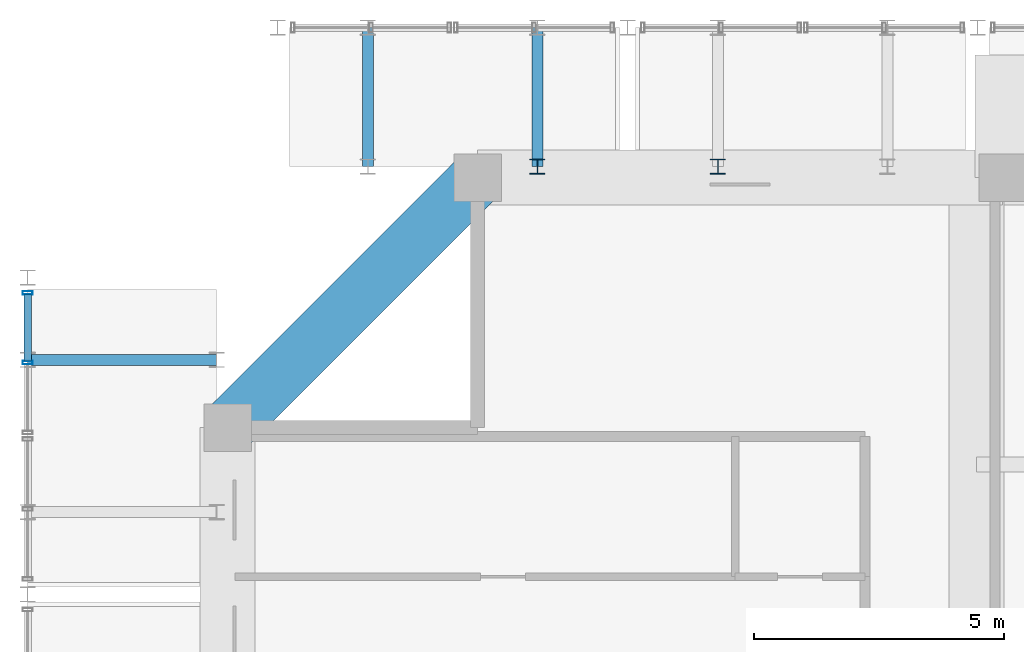
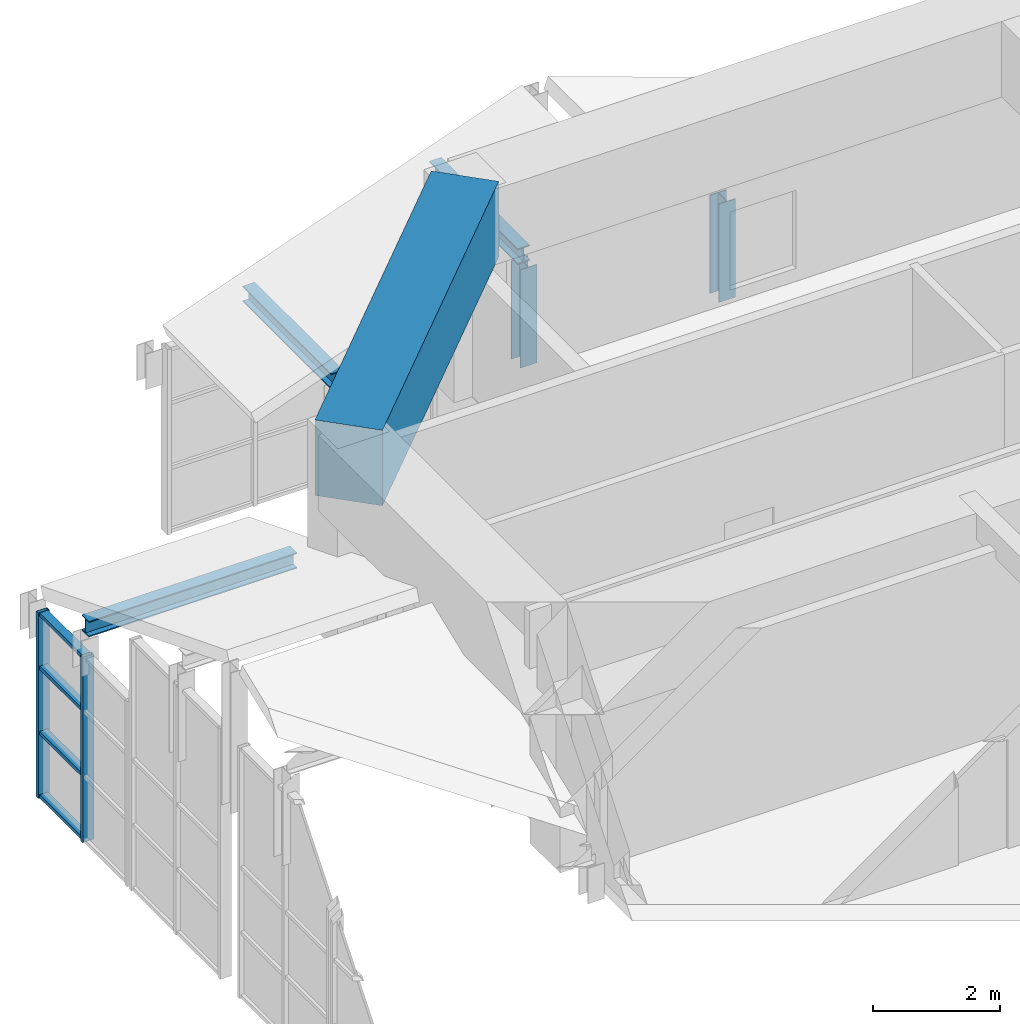
# One storey, part 21 of 45: 11 members, 1 beam, 1 element without a shape of its own.
"""IFC4 building model written with IfcOpenShell, lengths in metres."""

from ifc_helpers import new_model, si_unit, direction, frame, origin, origin_2d, place, context, subcontext, project, spatial, rectangle, hollow_rectangle, i_section, extrude, source, transform, mapped, material, layer, layer_set, material_profile, profile_set, type_object, element, aggregate, save


model = new_model("IFC4")

# Units and contexts
model_context = context("Model", 3, precision=1e-05, world=origin(), true_north=direction((0.0, 1.0)))
body_context = subcontext(model_context, "Body", "Model", "MODEL_VIEW")
ifc_project = project(units=[si_unit("LENGTHUNIT", "METRE"), si_unit("AREAUNIT", "SQUARE_METRE"), si_unit("VOLUMEUNIT", "CUBIC_METRE"), si_unit("PLANEANGLEUNIT", "RADIAN"), si_unit("MASSUNIT", "GRAM", prefix="KILO")], contexts=[model_context])

# Site, building, storey
site_placement = place(None, origin())
site = spatial("IfcSite", under=ifc_project, at=site_placement, CompositionType="ELEMENT")
building_placement = place(site_placement, origin())
building = spatial("IfcBuilding", under=site, at=building_placement, Name="Saelheon Loggia Tower", CompositionType="ELEMENT")
storey_placement = place(building_placement, frame((0.0, 0.0, 152.199951171875)))
storey = spatial("IfcBuildingStorey", under=building, at=storey_placement, Name="L48", CompositionType="ELEMENT", Elevation=152.199951171875)

# Members
ifc_material_1 = material(Name="Steel SM355", Category="steel")
ifc_material_profile_1 = material_profile(ifc_material_1, i_section(OverallWidth=0.219970703125, OverallDepth=0.300048828125, WebThickness=0.011962890625, FlangeThickness=0.02001953125, at=origin_2d()), Name="H-300x220x12x20")
ifc_profile_set_1 = profile_set([ifc_material_profile_1], Name="Steel SM355")
member_type_1 = type_object("IfcMemberType", Name="Roof_ShoulderPurlin_RHS300", PredefinedType="PURLIN", material=ifc_profile_set_1)
shared_shape_1 = source(origin(), body_context, "Body", "SweptSolid", [
    extrude(i_section(OverallWidth=0.219970703125, OverallDepth=0.300048828125, WebThickness=0.011962890625, FlangeThickness=0.02001953125, at=origin_2d()), origin(), (0.0, 0.0, 1.0), 3.780029296875),
])
member_1_placement = place(storey_placement, frame((12.0, 44.355224609375, 0.6220703125), z_axis=(1.0, 0.0, 0.0), x_axis=(0.0, 1.0, 0.0)))
element("IfcMember", 1, at=member_1_placement, inside=storey, type_object=member_type_1, Name="Tier 1 Wave Crest Rafter W 06 B", PredefinedType="PURLIN", context=body_context, shape_type="MappedRepresentation", body=[
    mapped(shared_shape_1, transform((0.0, 0.0, 0.0), scale=1.0)),
])
shared_shape_2 = source(origin(), body_context, "Body", "SweptSolid", [
    extrude(i_section(OverallWidth=0.219970703125, OverallDepth=0.300048828125, WebThickness=0.011962890625, FlangeThickness=0.02001953125, at=origin_2d()), origin(), (0.0, 0.0, 1.0), 2.780029296875),
])
for number, where, z_axis, x_axis, name in (
    (2, (18.8046875, 51.0, 0.626220703125), (0.0, -1.0, 0.0), (1.0, 0.0, 0.0), "Tier 1 Wave Crest Rafter N 01 A"),
    (3, (22.1953125, 51.0, 1.837158203125), (0.0, -1.0, 0.0), (1.0, 0.0, 0.0), "Tier 1 Wave Crest Rafter N 01 B"),
):
    element("IfcMember", number, at=place(storey_placement, frame(where, z_axis=z_axis, x_axis=x_axis)), inside=storey, type_object=member_type_1, Name=name, PredefinedType="PURLIN", context=body_context, shape_type="MappedRepresentation", body=[
        mapped(shared_shape_2, transform((0.0, 0.0, 0.0), scale=1.0)),
    ])
ifc_material_profile_2 = material_profile(ifc_material_1, i_section(OverallWidth=0.300048828125, OverallDepth=0.300048828125, WebThickness=0.010009765625, FlangeThickness=0.014892578125, at=origin_2d()), Name="H-300x300x10x15")
ifc_profile_set_2 = profile_set([ifc_material_profile_2], Name="Steel SM355")
member_type_2 = type_object("IfcMemberType", Name="Belt_Post_H300", PredefinedType="POST", material=ifc_profile_set_2)
shared_shape_3 = source(origin(), body_context, "Body", "SweptSolid", [
    extrude(i_section(OverallWidth=0.300048828125, OverallDepth=0.300048828125, WebThickness=0.010009765625, FlangeThickness=0.014892578125, at=origin_2d()), origin(), (0.0, 0.0, 1.0), 1.886962890625),
])
for number, where, z_axis, x_axis, name in (
    (4, (22.1953125, 48.219970703125, -0.199951171875), (0.0, 0.0, 1.0), (1.0, 0.0, 0.0), "Tier 1 Rafter Inner Post N 01"),
    (5, (25.8046875, 48.219970703125, -0.199951171875), (0.0, 0.0, 1.0), (1.0, 0.0, 0.0), "Tier 1 Rafter Inner Post N 02"),
):
    element("IfcMember", number, at=place(storey_placement, frame(where, z_axis=z_axis, x_axis=x_axis)), inside=storey, type_object=member_type_2, Name=name, PredefinedType="POST", context=body_context, shape_type="MappedRepresentation", body=[
        mapped(shared_shape_3, transform((0.0, 0.0, 0.0), scale=1.0)),
    ])

# Beam
ifc_material_2 = material(Name="Concrete C50/60", Category="concrete")
ifc_material_profile_3 = material_profile(ifc_material_2, rectangle(XDim=1.10009765625, YDim=1.449951171875, at=origin_2d()), Name="RC-1100x1450")
ifc_profile_set_3 = profile_set([ifc_material_profile_3], Name="Concrete C50/60")
beam_type = type_object("IfcBeamType", Name="Beam_PerimTransfer_RC1100x1450", PredefinedType="BEAM", material=ifc_profile_set_3)
shared_shape_4 = source(origin(), body_context, "Body", "SweptSolid", [
    extrude(rectangle(XDim=1.10009765625, YDim=1.449951171875, at=origin_2d()), origin(), (0.0, 0.0, 1.0), 7.071044921875),
])
beam_placement = place(storey_placement, frame((21.0, 48.0, 3.175048828125), z_axis=(-0.707106781187, -0.707106781187, 0.0), x_axis=(0.707106781187, -0.707106781187, 0.0)))
element("IfcBeam", 6, at=beam_placement, inside=storey, type_object=beam_type, Name="L48 Perimeter Frame Girder 12", PredefinedType="BEAM", context=body_context, shape_type="MappedRepresentation", body=[
    mapped(shared_shape_4, transform((0.0, 0.0, 0.0), scale=1.0)),
])

# Curtain wall, members
ifc_material_3 = material(Name="Bronze-Anodised Aluminium and Fritted Ceramic Screen", Category="aluminium")
ifc_layer = layer(ifc_material_3, 0.219970703125)
ifc_layer_set = layer_set([ifc_layer], Name="Bronze-Anodised Aluminium and Fritted Ceramic Screen")
curtain_wall_type = type_object("IfcCurtainWallType", Name="CW_CrownScreen", PredefinedType="NOTDEFINED", material=ifc_layer_set)
curtain_wall_placement = place(storey_placement, origin())
curtain_wall = element("IfcCurtainWall", 7, at=curtain_wall_placement, inside=storey, type_object=curtain_wall_type, Name="Tier 1 Wave Crest Glazing W 06-2", PredefinedType="NOTDEFINED")
ifc_material_4 = material(Name="Bronze-Anodised Aluminium 6063-T6", Category="aluminium")
ifc_material_profile_4 = material_profile(ifc_material_4, hollow_rectangle(XDim=0.070068359375, YDim=0.199951171875, WallThickness=0.0048828125, at=origin_2d()), Name="RHS-200x70x5")
ifc_profile_set_4 = profile_set([ifc_material_profile_4], Name="Bronze-Anodised Aluminium 6063-T6")
member_type_3 = type_object("IfcMemberType", Name="CW_CrownScreen_Mullion", PredefinedType="MULLION", material=ifc_profile_set_4)
shared_shape_5 = source(origin(), body_context, "Body", "SweptSolid", [
    extrude(hollow_rectangle(XDim=0.070068359375, YDim=0.199951171875, WallThickness=0.0048828125, at=origin_2d()), origin(), (0.0, 0.0, 1.0), 3.56005859375),
])
member_2_placement = place(storey_placement, frame((12.0, 44.296630859375, -3.449951171875), z_axis=(0.0, 0.0, 1.0), x_axis=(0.0, 1.0, 0.0)))
member_2 = element("IfcMember", 8, at=member_2_placement, type_object=member_type_3, Name="CW6 mullion 2", PredefinedType="MULLION", context=body_context, shape_type="MappedRepresentation", body=[
    mapped(shared_shape_5, transform((0.0, 0.0, 0.0), scale=1.0)),
])
member_3_placement = place(storey_placement, frame((12.0, 45.695068359375, -3.449951171875), z_axis=(0.0, 0.0, 1.0), x_axis=(0.0, 1.0, 0.0)))
member_3 = element("IfcMember", 9, at=member_3_placement, type_object=member_type_3, Name="CW6 mullion 3", PredefinedType="MULLION", context=body_context, shape_type="MappedRepresentation", body=[
    mapped(shared_shape_5, transform((0.0, 0.0, 0.0), scale=1.0)),
])
ifc_material_profile_5 = material_profile(ifc_material_4, hollow_rectangle(XDim=0.070068359375, YDim=0.14990234375, WallThickness=0.0048828125, at=origin_2d()), Name="RHS-150x70x5")
ifc_profile_set_5 = profile_set([ifc_material_profile_5], Name="Bronze-Anodised Aluminium 6063-T6")
member_type_4 = type_object("IfcMemberType", Name="CW_CrownScreen_Transom", PredefinedType="USERDEFINED", material=ifc_profile_set_5)
shared_shape_6 = source(origin(), body_context, "Body", "SweptSolid", [
    extrude(hollow_rectangle(XDim=0.070068359375, YDim=0.14990234375, WallThickness=0.0048828125, at=origin_2d()), origin(), (0.0, 0.0, 1.0), 1.328369140625),
])
member_4_placement = place(storey_placement, frame((12.0, 44.33154296875, -3.4150390625), z_axis=(0.0, 1.0, 0.0), x_axis=(0.0, 0.0, 1.0)))
member_4 = element("IfcMember", 10, at=member_4_placement, type_object=member_type_4, Name="CW6 transom 2.1", ObjectType="TRANSOM", PredefinedType="USERDEFINED", context=body_context, shape_type="MappedRepresentation", body=[
    mapped(shared_shape_6, transform((0.0, 0.0, 0.0), scale=1.0)),
])
member_5_placement = place(storey_placement, frame((12.0, 44.33154296875, -2.199951171875), z_axis=(0.0, 1.0, 0.0), x_axis=(0.0, 0.0, 1.0)))
member_5 = element("IfcMember", 11, at=member_5_placement, type_object=member_type_4, Name="CW6 transom 2.2", ObjectType="TRANSOM", PredefinedType="USERDEFINED", context=body_context, shape_type="MappedRepresentation", body=[
    mapped(shared_shape_6, transform((0.0, 0.0, 0.0), scale=1.0)),
])
member_6_placement = place(storey_placement, frame((12.0, 44.33154296875, -0.949951171875), z_axis=(0.0, 1.0, 0.0), x_axis=(0.0, 0.0, 1.0)))
member_6 = element("IfcMember", 12, at=member_6_placement, type_object=member_type_4, Name="CW6 transom 2.3", ObjectType="TRANSOM", PredefinedType="USERDEFINED", context=body_context, shape_type="MappedRepresentation", body=[
    mapped(shared_shape_6, transform((0.0, 0.0, 0.0), scale=1.0)),
])
member_7_placement = place(storey_placement, frame((12.0, 44.33154296875, 0.074951171875), z_axis=(0.0, 1.0, 0.0), x_axis=(0.0, 0.0, 1.0)))
member_7 = element("IfcMember", 13, at=member_7_placement, type_object=member_type_4, Name="CW6 transom 2.4", ObjectType="TRANSOM", PredefinedType="USERDEFINED", context=body_context, shape_type="MappedRepresentation", body=[
    mapped(shared_shape_6, transform((0.0, 0.0, 0.0), scale=1.0)),
])
aggregate(curtain_wall, [member_2, member_3, member_4, member_5, member_6, member_7])

save(model, "model.ifc")
